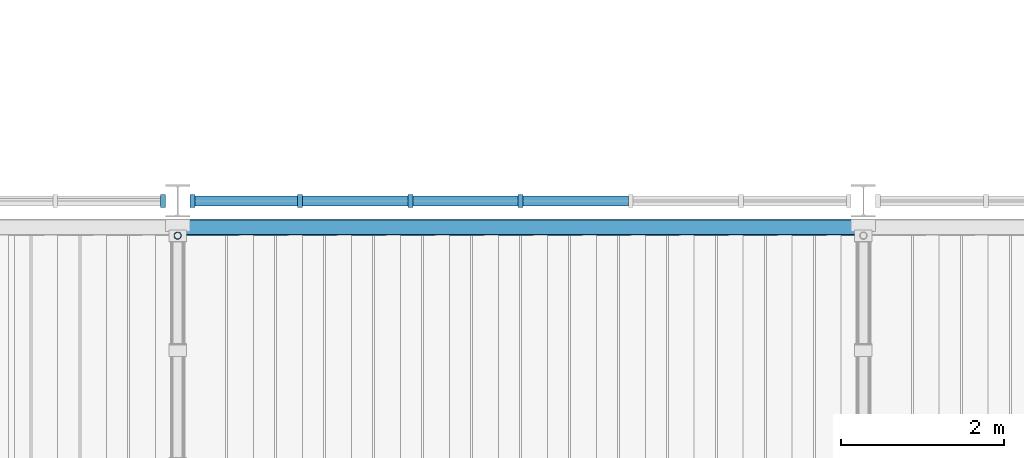
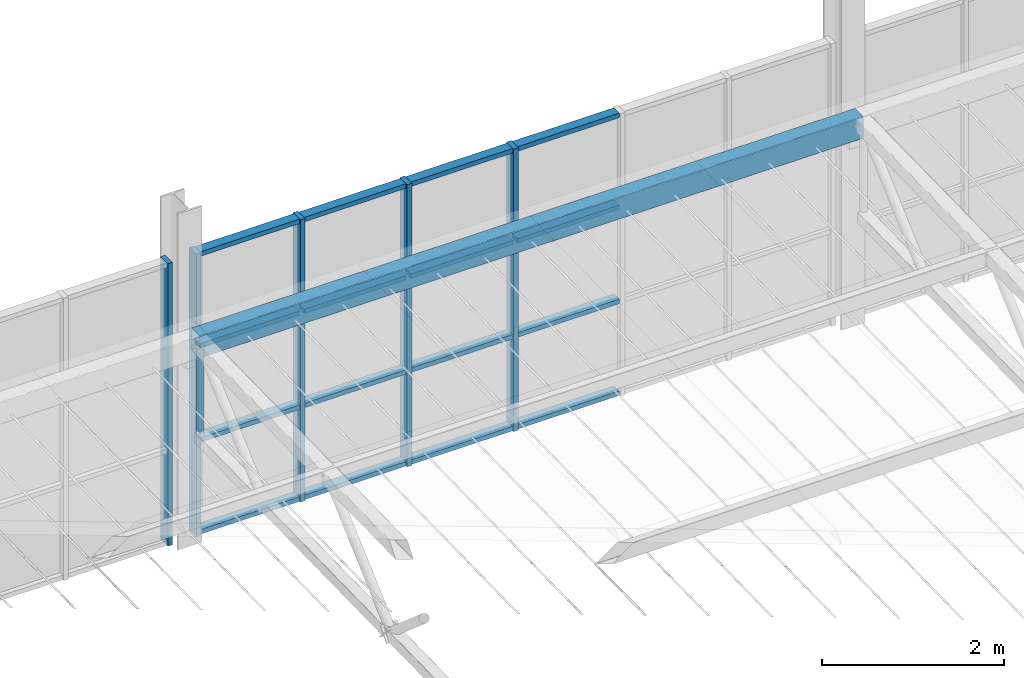
# One storey, part 20 of 129: 22 members, 1 beam, 2 elements without a shape of their own.
"""IFC4 building model written with IfcOpenShell, lengths in metres."""

from ifc_helpers import new_model, si_unit, direction, frame, origin, origin_2d, place, context, subcontext, project, spatial, rectangle, hollow_rectangle, hollow_circle, extrude, material, layer, layer_set, material_profile, profile_set, type_object, element, aggregate, save


model = new_model("IFC4")

# Units and contexts
model_context = context("Model", 3, precision=1e-05, world=origin(), true_north=direction((0.0, 1.0)))
body_context = subcontext(model_context, "Body", "Model", "MODEL_VIEW")
ifc_project = project(units=[si_unit("LENGTHUNIT", "METRE"), si_unit("AREAUNIT", "SQUARE_METRE"), si_unit("VOLUMEUNIT", "CUBIC_METRE"), si_unit("PLANEANGLEUNIT", "RADIAN"), si_unit("MASSUNIT", "GRAM", prefix="KILO")], contexts=[model_context])

# Site, building, storey
site_placement = place(None, origin())
site = spatial("IfcSite", under=ifc_project, at=site_placement, CompositionType="ELEMENT")
building_placement = place(site_placement, origin())
building = spatial("IfcBuilding", under=site, at=building_placement, Name="Ardhachandra Cancer Care Centre", CompositionType="ELEMENT")
storey_placement = place(building_placement, frame((0.0, 0.0, 4.5)))
storey = spatial("IfcBuildingStorey", under=building, at=storey_placement, Name="L01", CompositionType="ELEMENT", Elevation=4.5)

# Beam
ifc_material_1 = material(Name="Steel E350 (IS 2062)", Category="steel")
ifc_material_profile_1 = material_profile(ifc_material_1, hollow_rectangle(XDim=0.199951171875, YDim=0.300048828125, WallThickness=0.010009765625, InnerFilletRadius=0.010009765625, OuterFilletRadius=0.02001953125, at=origin_2d()), Name="RHS 300x200x10.0")
ifc_profile_set_1 = profile_set([ifc_material_profile_1], Name="Steel E350 (IS 2062)")
beam_type = type_object("IfcBeamType", Name="Canopy ring and eave beam RHS 300x200x10.0", PredefinedType="BEAM", material=ifc_profile_set_1)
beam_placement = place(storey_placement, frame((52.800048828125, 54.27490234375, 2.79541015625), z_axis=(1.0, 0.0, 0.0), x_axis=(0.0, 1.0, 0.0)))
element("IfcBeam", 1, at=beam_placement, inside=storey, type_object=beam_type, Name="Canopy eave beam 2", PredefinedType="BEAM", context=body_context, shape_type="SweptSolid", body=[
    extrude(hollow_rectangle(XDim=0.199951171875, YDim=0.300048828125, WallThickness=0.010009765625, InnerFilletRadius=0.010009765625, OuterFilletRadius=0.02001953125, at=origin_2d()), origin(), (0.0, 0.0, 1.0), 8.39990234375),
])

# Member
ifc_material_2 = material(Name="Steel E350 (IS 2062)", Category="steel")
ifc_material_profile_2 = material_profile(ifc_material_2, hollow_circle(Radius=0.04443359375, WallThickness=0.00390625, at=origin_2d()), Name="CHS 88.9x4.0")
ifc_profile_set_2 = profile_set([ifc_material_profile_2], Name="Steel E350 (IS 2062)")
member_type_1 = type_object("IfcMemberType", Name="Canopy truss post CHS 88.9x4.0", PredefinedType="POST", material=ifc_profile_set_2)
member_1_placement = place(storey_placement, frame((52.800048828125, 54.175048828125, 2.853515625), z_axis=(0.0, 0.0, -1.0), x_axis=(1.0, 0.0, 0.0)))
element("IfcMember", 2, at=member_1_placement, inside=storey, type_object=member_type_1, Name="Canopy truss 2 web vertical WV36", PredefinedType="POST", context=body_context, shape_type="SweptSolid", body=[
    extrude(hollow_circle(Radius=0.04443359375, WallThickness=0.00390625, at=origin_2d()), origin(), (0.0, 0.0, 1.0), 1.235107421875),
])

# Curtain wall, member
ifc_material_3 = material(Name="Aluminium extrusion", Category="aluminium")
ifc_layer = layer(ifc_material_3, 0.14990234375)
ifc_layer_set = layer_set([ifc_layer], Name="Aluminium extrusion")
curtain_wall_type = type_object("IfcCurtainWallType", Name="Curtain wall run", PredefinedType="NOTDEFINED", material=ifc_layer_set)
curtain_wall_1_placement = place(storey_placement, origin())
curtain_wall_1 = element("IfcCurtainWall", 3, at=curtain_wall_1_placement, inside=storey, type_object=curtain_wall_type, Name="Curtain wall L01 s/0044400_0054600", PredefinedType="NOTDEFINED")
ifc_material_4 = material(Name="Aluminium extrusion", Category="aluminium")
ifc_material_profile_3 = material_profile(ifc_material_4, rectangle(XDim=0.159912109375, YDim=0.06005859375, at=origin_2d()), Name="Curtain wall mullion 60 x 160")
ifc_profile_set_3 = profile_set([ifc_material_profile_3], Name="Aluminium extrusion")
member_type_2 = type_object("IfcMemberType", Name="Curtain wall mullion 60 x 160", PredefinedType="MULLION", material=ifc_profile_set_3)
member_2_placement = place(storey_placement, frame((52.6201171875, 54.60009765625, 0.0), z_axis=(0.0, 0.0, 1.0), x_axis=(0.0, 1.0, 0.0)))
member_2 = element("IfcMember", 4, at=member_2_placement, type_object=member_type_2, Name="CW mullion 7", PredefinedType="MULLION", context=body_context, shape_type="SweptSolid", body=[
    extrude(rectangle(XDim=0.159912109375, YDim=0.06005859375, at=origin_2d()), origin(), (0.0, 0.0, 1.0), 3.780517578125),
])
aggregate(curtain_wall_1, [member_2])

# Curtain wall, members
curtain_wall_2_placement = place(storey_placement, origin())
curtain_wall_2 = element("IfcCurtainWall", 5, at=curtain_wall_2_placement, inside=storey, type_object=curtain_wall_type, Name="Curtain wall L01 s/0052800_0054600", PredefinedType="NOTDEFINED")
member_3_placement = place(storey_placement, frame((52.97998046875, 54.60009765625, 0.0), z_axis=(0.0, 0.0, 1.0), x_axis=(0.0, 1.0, 0.0)))
member_3 = element("IfcMember", 6, at=member_3_placement, type_object=member_type_2, Name="CW mullion 1", PredefinedType="MULLION", context=body_context, shape_type="SweptSolid", body=[
    extrude(rectangle(XDim=0.159912109375, YDim=0.06005859375, at=origin_2d()), origin(), (0.0, 0.0, 1.0), 3.780517578125),
])
member_4_placement = place(storey_placement, frame((54.300048828125, 54.60009765625, 0.0), z_axis=(0.0, 0.0, 1.0), x_axis=(0.0, 1.0, 0.0)))
member_4 = element("IfcMember", 7, at=member_4_placement, type_object=member_type_2, Name="CW mullion 2", PredefinedType="MULLION", context=body_context, shape_type="SweptSolid", body=[
    extrude(rectangle(XDim=0.159912109375, YDim=0.06005859375, at=origin_2d()), origin(), (0.0, 0.0, 1.0), 3.780517578125),
])
member_5_placement = place(storey_placement, frame((55.64990234375, 54.60009765625, 0.0), z_axis=(0.0, 0.0, 1.0), x_axis=(0.0, 1.0, 0.0)))
member_5 = element("IfcMember", 8, at=member_5_placement, type_object=member_type_2, Name="CW mullion 3", PredefinedType="MULLION", context=body_context, shape_type="SweptSolid", body=[
    extrude(rectangle(XDim=0.159912109375, YDim=0.06005859375, at=origin_2d()), origin(), (0.0, 0.0, 1.0), 3.780517578125),
])
member_6_placement = place(storey_placement, frame((57.0, 54.60009765625, 0.0), z_axis=(0.0, 0.0, 1.0), x_axis=(0.0, 1.0, 0.0)))
member_6 = element("IfcMember", 9, at=member_6_placement, type_object=member_type_2, Name="CW mullion 4", PredefinedType="MULLION", context=body_context, shape_type="SweptSolid", body=[
    extrude(rectangle(XDim=0.159912109375, YDim=0.06005859375, at=origin_2d()), origin(), (0.0, 0.0, 1.0), 3.780517578125),
])
ifc_material_5 = material(Name="Aluminium extrusion", Category="aluminium")
ifc_material_profile_4 = material_profile(ifc_material_5, rectangle(XDim=0.1201171875, YDim=0.06005859375, at=origin_2d()), Name="Curtain wall transom 60 x 120")
ifc_profile_set_4 = profile_set([ifc_material_profile_4], Name="Aluminium extrusion")
member_type_3 = type_object("IfcMemberType", Name="Curtain wall transom 60 x 120", PredefinedType="USERDEFINED", material=ifc_profile_set_4)
member_7_placement = place(storey_placement, frame((53.010009765625, 54.60009765625, 0.030029296875), z_axis=(1.0, 0.0, 0.0), x_axis=(0.0, 1.0, 0.0)))
member_7 = element("IfcMember", 10, at=member_7_placement, type_object=member_type_3, Name="CW transom 1.1", ObjectType="TRANSOM", PredefinedType="USERDEFINED", context=body_context, shape_type="SweptSolid", body=[
    extrude(rectangle(XDim=0.1201171875, YDim=0.06005859375, at=origin_2d()), origin(), (0.0, 0.0, 1.0), 1.260009765625),
])
member_8_placement = place(storey_placement, frame((53.010009765625, 54.60009765625, 1.26025390625), z_axis=(1.0, 0.0, 0.0), x_axis=(0.0, 1.0, 0.0)))
member_8 = element("IfcMember", 11, at=member_8_placement, type_object=member_type_3, Name="CW transom 1.2", ObjectType="TRANSOM", PredefinedType="USERDEFINED", context=body_context, shape_type="SweptSolid", body=[
    extrude(rectangle(XDim=0.1201171875, YDim=0.06005859375, at=origin_2d()), origin(), (0.0, 0.0, 1.0), 1.260009765625),
])
member_9_placement = place(storey_placement, frame((53.010009765625, 54.60009765625, 2.520263671875), z_axis=(1.0, 0.0, 0.0), x_axis=(0.0, 1.0, 0.0)))
member_9 = element("IfcMember", 12, at=member_9_placement, type_object=member_type_3, Name="CW transom 1.3", ObjectType="TRANSOM", PredefinedType="USERDEFINED", context=body_context, shape_type="SweptSolid", body=[
    extrude(rectangle(XDim=0.1201171875, YDim=0.06005859375, at=origin_2d()), origin(), (0.0, 0.0, 1.0), 1.260009765625),
])
member_10_placement = place(storey_placement, frame((53.010009765625, 54.60009765625, 3.75048828125), z_axis=(1.0, 0.0, 0.0), x_axis=(0.0, 1.0, 0.0)))
member_10 = element("IfcMember", 13, at=member_10_placement, type_object=member_type_3, Name="CW transom 1.4", ObjectType="TRANSOM", PredefinedType="USERDEFINED", context=body_context, shape_type="SweptSolid", body=[
    extrude(rectangle(XDim=0.1201171875, YDim=0.06005859375, at=origin_2d()), origin(), (0.0, 0.0, 1.0), 1.260009765625),
])
member_11_placement = place(storey_placement, frame((54.330078125, 54.60009765625, 0.030029296875), z_axis=(1.0, 0.0, 0.0), x_axis=(0.0, 1.0, 0.0)))
member_11 = element("IfcMember", 14, at=member_11_placement, type_object=member_type_3, Name="CW transom 2.1", ObjectType="TRANSOM", PredefinedType="USERDEFINED", context=body_context, shape_type="SweptSolid", body=[
    extrude(rectangle(XDim=0.1201171875, YDim=0.06005859375, at=origin_2d()), origin(), (0.0, 0.0, 1.0), 1.2900390625),
])
member_12_placement = place(storey_placement, frame((54.330078125, 54.60009765625, 1.26025390625), z_axis=(1.0, 0.0, 0.0), x_axis=(0.0, 1.0, 0.0)))
member_12 = element("IfcMember", 15, at=member_12_placement, type_object=member_type_3, Name="CW transom 2.2", ObjectType="TRANSOM", PredefinedType="USERDEFINED", context=body_context, shape_type="SweptSolid", body=[
    extrude(rectangle(XDim=0.1201171875, YDim=0.06005859375, at=origin_2d()), origin(), (0.0, 0.0, 1.0), 1.2900390625),
])
member_13_placement = place(storey_placement, frame((54.330078125, 54.60009765625, 2.520263671875), z_axis=(1.0, 0.0, 0.0), x_axis=(0.0, 1.0, 0.0)))
member_13 = element("IfcMember", 16, at=member_13_placement, type_object=member_type_3, Name="CW transom 2.3", ObjectType="TRANSOM", PredefinedType="USERDEFINED", context=body_context, shape_type="SweptSolid", body=[
    extrude(rectangle(XDim=0.1201171875, YDim=0.06005859375, at=origin_2d()), origin(), (0.0, 0.0, 1.0), 1.2900390625),
])
member_14_placement = place(storey_placement, frame((54.330078125, 54.60009765625, 3.75048828125), z_axis=(1.0, 0.0, 0.0), x_axis=(0.0, 1.0, 0.0)))
member_14 = element("IfcMember", 17, at=member_14_placement, type_object=member_type_3, Name="CW transom 2.4", ObjectType="TRANSOM", PredefinedType="USERDEFINED", context=body_context, shape_type="SweptSolid", body=[
    extrude(rectangle(XDim=0.1201171875, YDim=0.06005859375, at=origin_2d()), origin(), (0.0, 0.0, 1.0), 1.2900390625),
])
member_15_placement = place(storey_placement, frame((55.679931640625, 54.60009765625, 0.030029296875), z_axis=(1.0, 0.0, 0.0), x_axis=(0.0, 1.0, 0.0)))
member_15 = element("IfcMember", 18, at=member_15_placement, type_object=member_type_3, Name="CW transom 3.1", ObjectType="TRANSOM", PredefinedType="USERDEFINED", context=body_context, shape_type="SweptSolid", body=[
    extrude(rectangle(XDim=0.1201171875, YDim=0.06005859375, at=origin_2d()), origin(), (0.0, 0.0, 1.0), 1.2900390625),
])
member_16_placement = place(storey_placement, frame((55.679931640625, 54.60009765625, 1.26025390625), z_axis=(1.0, 0.0, 0.0), x_axis=(0.0, 1.0, 0.0)))
member_16 = element("IfcMember", 19, at=member_16_placement, type_object=member_type_3, Name="CW transom 3.2", ObjectType="TRANSOM", PredefinedType="USERDEFINED", context=body_context, shape_type="SweptSolid", body=[
    extrude(rectangle(XDim=0.1201171875, YDim=0.06005859375, at=origin_2d()), origin(), (0.0, 0.0, 1.0), 1.2900390625),
])
member_17_placement = place(storey_placement, frame((55.679931640625, 54.60009765625, 2.520263671875), z_axis=(1.0, 0.0, 0.0), x_axis=(0.0, 1.0, 0.0)))
member_17 = element("IfcMember", 20, at=member_17_placement, type_object=member_type_3, Name="CW transom 3.3", ObjectType="TRANSOM", PredefinedType="USERDEFINED", context=body_context, shape_type="SweptSolid", body=[
    extrude(rectangle(XDim=0.1201171875, YDim=0.06005859375, at=origin_2d()), origin(), (0.0, 0.0, 1.0), 1.2900390625),
])
member_18_placement = place(storey_placement, frame((55.679931640625, 54.60009765625, 3.75048828125), z_axis=(1.0, 0.0, 0.0), x_axis=(0.0, 1.0, 0.0)))
member_18 = element("IfcMember", 21, at=member_18_placement, type_object=member_type_3, Name="CW transom 3.4", ObjectType="TRANSOM", PredefinedType="USERDEFINED", context=body_context, shape_type="SweptSolid", body=[
    extrude(rectangle(XDim=0.1201171875, YDim=0.06005859375, at=origin_2d()), origin(), (0.0, 0.0, 1.0), 1.2900390625),
])
member_19_placement = place(storey_placement, frame((57.030029296875, 54.60009765625, 0.030029296875), z_axis=(1.0, 0.0, 0.0), x_axis=(0.0, 1.0, 0.0)))
member_19 = element("IfcMember", 22, at=member_19_placement, type_object=member_type_3, Name="CW transom 4.1", ObjectType="TRANSOM", PredefinedType="USERDEFINED", context=body_context, shape_type="SweptSolid", body=[
    extrude(rectangle(XDim=0.1201171875, YDim=0.06005859375, at=origin_2d()), origin(), (0.0, 0.0, 1.0), 1.2900390625),
])
member_20_placement = place(storey_placement, frame((57.030029296875, 54.60009765625, 1.26025390625), z_axis=(1.0, 0.0, 0.0), x_axis=(0.0, 1.0, 0.0)))
member_20 = element("IfcMember", 23, at=member_20_placement, type_object=member_type_3, Name="CW transom 4.2", ObjectType="TRANSOM", PredefinedType="USERDEFINED", context=body_context, shape_type="SweptSolid", body=[
    extrude(rectangle(XDim=0.1201171875, YDim=0.06005859375, at=origin_2d()), origin(), (0.0, 0.0, 1.0), 1.2900390625),
])
member_21_placement = place(storey_placement, frame((57.030029296875, 54.60009765625, 2.520263671875), z_axis=(1.0, 0.0, 0.0), x_axis=(0.0, 1.0, 0.0)))
member_21 = element("IfcMember", 24, at=member_21_placement, type_object=member_type_3, Name="CW transom 4.3", ObjectType="TRANSOM", PredefinedType="USERDEFINED", context=body_context, shape_type="SweptSolid", body=[
    extrude(rectangle(XDim=0.1201171875, YDim=0.06005859375, at=origin_2d()), origin(), (0.0, 0.0, 1.0), 1.2900390625),
])
member_22_placement = place(storey_placement, frame((57.030029296875, 54.60009765625, 3.75048828125), z_axis=(1.0, 0.0, 0.0), x_axis=(0.0, 1.0, 0.0)))
member_22 = element("IfcMember", 25, at=member_22_placement, type_object=member_type_3, Name="CW transom 4.4", ObjectType="TRANSOM", PredefinedType="USERDEFINED", context=body_context, shape_type="SweptSolid", body=[
    extrude(rectangle(XDim=0.1201171875, YDim=0.06005859375, at=origin_2d()), origin(), (0.0, 0.0, 1.0), 1.2900390625),
])
aggregate(curtain_wall_2, [member_3, member_4, member_5, member_6, member_7, member_8, member_9, member_10, member_11, member_12, member_13, member_14, member_15, member_16, member_17, member_18, member_19, member_20, member_21, member_22])

save(model, "model.ifc")
